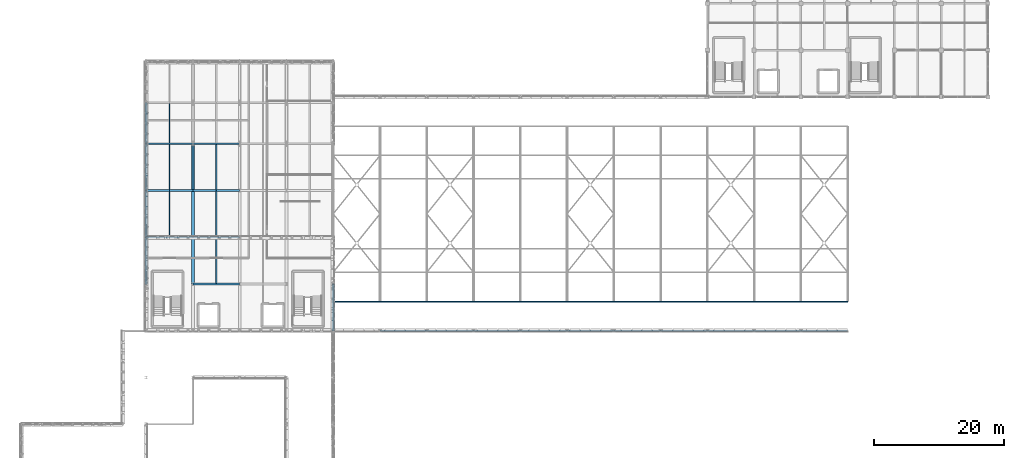
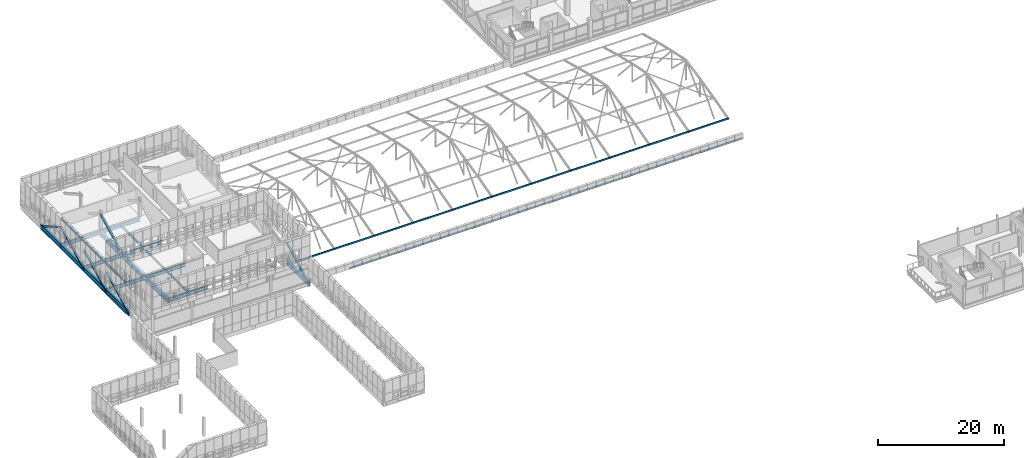
# One storey, part 20 of 96: 31 beams, 17 members.
"""IFC4 building model written with IfcOpenShell, lengths in metres."""

from ifc_helpers import new_model, si_unit, direction, frame, origin, origin_2d, place, context, subcontext, project, spatial, hollow_rectangle, i_section, extrude, material, material_profile, profile_set, type_object, element, save


model = new_model("IFC4")

# Units and contexts
model_context = context("Model", 3, precision=1e-05, world=origin(), true_north=direction((0.0, 1.0)))
body_context = subcontext(model_context, "Body", "Model", "MODEL_VIEW")
ifc_project = project(units=[si_unit("LENGTHUNIT", "METRE"), si_unit("AREAUNIT", "SQUARE_METRE"), si_unit("VOLUMEUNIT", "CUBIC_METRE"), si_unit("PLANEANGLEUNIT", "RADIAN"), si_unit("MASSUNIT", "GRAM", prefix="KILO")], contexts=[model_context])

# Site, building, storey
site_placement = place(None, origin())
site = spatial("IfcSite", under=ifc_project, at=site_placement, CompositionType="ELEMENT")
building_placement = place(site_placement, origin())
building = spatial("IfcBuilding", under=site, at=building_placement, Name="Yarey Park Central Fire Station", CompositionType="ELEMENT")
storey_placement = place(building_placement, frame((0.0, 0.0, 14.39990234375)))
storey = spatial("IfcBuildingStorey", under=building, at=storey_placement, Name="L04", CompositionType="ELEMENT", Elevation=14.39990234375)

# Beams
ifc_material_1 = material(Name="Steel ASTM A992 Gr. 50", Category="steel")
ifc_material_profile_1 = material_profile(ifc_material_1, i_section(OverallWidth=0.256103515625, OverallDepth=0.693115234375, WebThickness=0.014404296875, FlangeThickness=0.023681640625, at=origin_2d()), Name="W690x170")
ifc_profile_set_1 = profile_set([ifc_material_profile_1], Name="Steel ASTM A992 Gr. 50")
beam_type_1 = type_object("IfcBeamType", Name="STR_BM_W690", PredefinedType="BEAM", material=ifc_profile_set_1)
for number, where, z_axis, x_axis, name in (
    (1, (36.0, 64.800048828125, -0.596435546875), (1.0, 0.0, 0.0), (0.0, 1.0, 0.0), "BMX L04 Y648 X360"),
    (2, (28.800048828125, 72.0, -0.596435546875), (1.0, 0.0, 0.0), (0.0, 1.0, 0.0), "BMX L04 Y720 X288"),
    (3, (36.0, 72.0, -0.596435546875), (1.0, 0.0, 0.0), (0.0, 1.0, 0.0), "BMX L04 Y720 X360"),
    (4, (28.800048828125, 79.199951171875, -0.596435546875), (1.0, 0.0, 0.0), (0.0, 1.0, 0.0), "BMX L04 Y792 X288"),
    (5, (36.0, 79.199951171875, -0.596435546875), (1.0, 0.0, 0.0), (0.0, 1.0, 0.0), "BMX L04 Y792 X360"),
    (6, (28.800048828125, 86.39990234375, -0.596435546875), (1.0, 0.0, 0.0), (0.0, 1.0, 0.0), "BMX L04 Y864 X288"),
    (7, (36.0, 86.39990234375, -0.596435546875), (1.0, 0.0, 0.0), (0.0, 1.0, 0.0), "BMX L04 Y864 X360"),
):
    element("IfcBeam", number, at=place(storey_placement, frame(where, z_axis=z_axis, x_axis=x_axis)), inside=storey, type_object=beam_type_1, Name=name, PredefinedType="BEAM", context=body_context, shape_type="SweptSolid", body=[
        extrude(i_section(OverallWidth=0.256103515625, OverallDepth=0.693115234375, WebThickness=0.014404296875, FlangeThickness=0.023681640625, at=origin_2d()), origin(), (0.0, 0.0, 1.0), 7.199951171875),
    ])
ifc_material_profile_2 = material_profile(ifc_material_1, i_section(OverallWidth=0.41796875, OverallDepth=0.912109375, WebThickness=0.019287109375, FlangeThickness=0.031982421875, at=origin_2d()), Name="W920x342")
ifc_profile_set_2 = profile_set([ifc_material_profile_2], Name="Steel ASTM A992 Gr. 50")
beam_type_2 = type_object("IfcBeamType", Name="STR_BM_W920", PredefinedType="BEAM", material=ifc_profile_set_2)
for number, where, z_axis, x_axis, name in (
    (8, (36.0, 64.800048828125, -0.705810546875), (0.0, 1.0, 0.0), (-1.0, 0.0, 0.0), "Transfer Truss TT2 L04 CH2"),
    (9, (36.0, 72.0, -0.705810546875), (0.0, 1.0, 0.0), (-1.0, 0.0, 0.0), "Transfer Truss TT2 L04 CH3"),
    (10, (36.0, 79.199951171875, -0.705810546875), (0.0, 1.0, 0.0), (-1.0, 0.0, 0.0), "Transfer Truss TT2 L04 CH4"),
):
    element("IfcBeam", number, at=place(storey_placement, frame(where, z_axis=z_axis, x_axis=x_axis)), inside=storey, type_object=beam_type_2, Name=name, PredefinedType="BEAM", context=body_context, shape_type="SweptSolid", body=[
        extrude(i_section(OverallWidth=0.41796875, OverallDepth=0.912109375, WebThickness=0.019287109375, FlangeThickness=0.031982421875, at=origin_2d()), origin(), (0.0, 0.0, 1.0), 7.199951171875),
    ])
ifc_material_profile_3 = material_profile(ifc_material_1, i_section(OverallWidth=0.41796875, OverallDepth=0.912109375, WebThickness=0.019287109375, FlangeThickness=0.031982421875, at=origin_2d()), Name="W920x342")
ifc_profile_set_3 = profile_set([ifc_material_profile_3], Name="Steel ASTM A992 Gr. 50")
beam_type_3 = type_object("IfcBeamType", Name="STR_BM_W920E", PredefinedType="BEAM", material=ifc_profile_set_3)
for number, where, z_axis, x_axis, name in (
    (11, (28.800048828125, 64.800048828125, -0.705810546875), (0.0, 1.0, 0.0), (-1.0, 0.0, 0.0), "Transfer Truss TT1 L04 CH2"),
    (12, (28.800048828125, 72.0, -0.705810546875), (0.0, 1.0, 0.0), (-1.0, 0.0, 0.0), "Transfer Truss TT1 L04 CH3"),
    (13, (28.800048828125, 79.199951171875, -0.705810546875), (0.0, 1.0, 0.0), (-1.0, 0.0, 0.0), "Transfer Truss TT1 L04 CH4"),
):
    element("IfcBeam", number, at=place(storey_placement, frame(where, z_axis=z_axis, x_axis=x_axis)), inside=storey, type_object=beam_type_3, Name=name, PredefinedType="BEAM", context=body_context, shape_type="SweptSolid", body=[
        extrude(i_section(OverallWidth=0.41796875, OverallDepth=0.912109375, WebThickness=0.019287109375, FlangeThickness=0.031982421875, at=origin_2d()), origin(), (0.0, 0.0, 1.0), 7.199951171875),
    ])
beam_1_placement = place(storey_placement, frame((28.800048828125, 86.39990234375, -0.705810546875), z_axis=(0.0, 1.0, 0.0), x_axis=(-1.0, 0.0, 0.0)))
element("IfcBeam", 14, at=beam_1_placement, inside=storey, type_object=beam_type_3, Name="Transfer Truss TT1 L04 CH5", PredefinedType="BEAM", context=body_context, shape_type="SweptSolid", body=[
    extrude(i_section(OverallWidth=0.41796875, OverallDepth=0.912109375, WebThickness=0.019287109375, FlangeThickness=0.031982421875, at=origin_2d()), origin(), (0.0, 0.0, 1.0), 6.300048828125),
])
beam_2_placement = place(storey_placement, frame((57.60009765625, 57.60009765625, -0.705810546875), z_axis=(0.0, 1.0, 0.0), x_axis=(-1.0, 0.0, 0.0)))
element("IfcBeam", 15, at=beam_2_placement, inside=storey, type_object=beam_type_3, Name="Transfer Truss TT5 L04 CH1", PredefinedType="BEAM", context=body_context, shape_type="SweptSolid", body=[
    extrude(i_section(OverallWidth=0.41796875, OverallDepth=0.912109375, WebThickness=0.019287109375, FlangeThickness=0.031982421875, at=origin_2d()), origin(), (0.0, 0.0, 1.0), 7.199951171875),
])
ifc_material_profile_4 = material_profile(ifc_material_1, i_section(OverallWidth=0.177978515625, OverallDepth=0.406982421875, WebThickness=0.0078125, FlangeThickness=0.0126953125, at=origin_2d()), Name="W410x60")
ifc_profile_set_4 = profile_set([ifc_material_profile_4], Name="Steel ASTM A992 Gr. 50")
beam_type_4 = type_object("IfcBeamType", Name="STR_JST_W410", PredefinedType="JOIST", material=ifc_profile_set_4)
beam_3_placement = place(storey_placement, frame((32.39990234375, 86.47998046875, -0.453369140625), z_axis=(0.0, 1.0, 0.0), x_axis=(-1.0, 0.0, 0.0)))
element("IfcBeam", 16, at=beam_3_placement, inside=storey, type_object=beam_type_4, Name="CANT JST L04 X324 Y864", PredefinedType="JOIST", context=body_context, shape_type="SweptSolid", body=[
    extrude(i_section(OverallWidth=0.177978515625, OverallDepth=0.406982421875, WebThickness=0.0078125, FlangeThickness=0.0126953125, at=origin_2d()), origin(), (0.0, 0.0, 1.0), 6.14013671875),
])
for number, where, z_axis, x_axis, name in (
    (17, (32.39990234375, 72.094970703125, -0.453369140625), (0.0, 1.0, 0.0), (-1.0, 0.0, 0.0), "JST L04 X324 Y720"),
    (18, (32.39990234375, 79.294921875, -0.453369140625), (0.0, 1.0, 0.0), (-1.0, 0.0, 0.0), "JST L04 X324 Y792"),
    (19, (39.60009765625, 64.89501953125, -0.453369140625), (0.0, 1.0, 0.0), (-1.0, 0.0, 0.0), "JST L04 X396 Y648"),
    (20, (39.60009765625, 72.094970703125, -0.453369140625), (0.0, 1.0, 0.0), (-1.0, 0.0, 0.0), "JST L04 X396 Y720"),
    (21, (39.60009765625, 79.294921875, -0.453369140625), (0.0, 1.0, 0.0), (-1.0, 0.0, 0.0), "JST L04 X396 Y792"),
):
    element("IfcBeam", number, at=place(storey_placement, frame(where, z_axis=z_axis, x_axis=x_axis)), inside=storey, type_object=beam_type_4, Name=name, PredefinedType="JOIST", context=body_context, shape_type="SweptSolid", body=[
        extrude(i_section(OverallWidth=0.177978515625, OverallDepth=0.406982421875, WebThickness=0.0078125, FlangeThickness=0.0126953125, at=origin_2d()), origin(), (0.0, 0.0, 1.0), 7.010009765625),
    ])

# Members
ifc_material_2 = material(Name="Steel ASTM A500 Gr. C", Category="steel")
ifc_material_profile_5 = material_profile(ifc_material_2, hollow_rectangle(XDim=0.300048828125, YDim=0.300048828125, WallThickness=0.01611328125, at=origin_2d()), Name="HSS 300x300x16")
ifc_profile_set_5 = profile_set([ifc_material_profile_5], Name="Steel ASTM A500 Gr. C")
member_type_1 = type_object("IfcMemberType", Name="STR_PRATT_HSS300", PredefinedType="BRACE", material=ifc_profile_set_5)
member_1_placement = place(storey_placement, frame((36.0, 79.199951171875, -0.699951171875), z_axis=(0.0, 0.894421125195, 0.447225726904), x_axis=(-1.0, 0.0, 0.0)))
element("IfcMember", 22, at=member_1_placement, inside=storey, type_object=member_type_1, Name="TT2_L04_DIAG4", PredefinedType="BRACE", context=body_context, shape_type="SweptSolid", body=[
    extrude(hollow_rectangle(XDim=0.300048828125, YDim=0.300048828125, WallThickness=0.01611328125, at=origin_2d()), origin(), (0.0, 0.0, 1.0), 8.0498046875),
])
ifc_material_profile_6 = material_profile(ifc_material_2, hollow_rectangle(XDim=0.300048828125, YDim=0.300048828125, WallThickness=0.01611328125, at=origin_2d()), Name="HSS 300x300x16")
ifc_profile_set_6 = profile_set([ifc_material_profile_6], Name="Steel ASTM A500 Gr. C")
member_type_2 = type_object("IfcMemberType", Name="STR_PRATT_HSS300E", PredefinedType="BRACE", material=ifc_profile_set_6)
for number, where, z_axis, x_axis, name in (
    (23, (28.800048828125, 64.800048828125, -0.699951171875), (0.0, 0.894421125195, 0.447225726904), (-1.0, 0.0, 0.0), "TT1_L04_DIAG2"),
    (24, (28.800048828125, 72.0, -0.699951171875), (0.0, 0.894421125195, 0.447225726904), (-1.0, 0.0, 0.0), "TT1_L04_DIAG3"),
    (25, (28.800048828125, 79.199951171875, -0.699951171875), (0.0, 0.894421125195, 0.447225726904), (-1.0, 0.0, 0.0), "TT1_L04_DIAG4"),
):
    element("IfcMember", number, at=place(storey_placement, frame(where, z_axis=z_axis, x_axis=x_axis)), inside=storey, type_object=member_type_2, Name=name, PredefinedType="BRACE", context=body_context, shape_type="SweptSolid", body=[
        extrude(hollow_rectangle(XDim=0.300048828125, YDim=0.300048828125, WallThickness=0.01611328125, at=origin_2d()), origin(), (0.0, 0.0, 1.0), 8.0498046875),
    ])
member_2_placement = place(storey_placement, frame((28.800048828125, 86.39990234375, 2.900146484375), z_axis=(0.0, 0.868239001029, -0.496146185203), x_axis=(-1.0, 0.0, 0.0)))
element("IfcMember", 26, at=member_2_placement, inside=storey, type_object=member_type_2, Name="TT1_L04_DIAG5", PredefinedType="BRACE", context=body_context, shape_type="SweptSolid", body=[
    extrude(hollow_rectangle(XDim=0.300048828125, YDim=0.300048828125, WallThickness=0.01611328125, at=origin_2d()), origin(), (0.0, 0.0, 1.0), 7.256103515625),
])
member_3_placement = place(storey_placement, frame((57.60009765625, 57.60009765625, -0.699951171875), z_axis=(0.0, 0.894421125195, 0.447225726904), x_axis=(-1.0, 0.0, 0.0)))
element("IfcMember", 27, at=member_3_placement, inside=storey, type_object=member_type_2, Name="TT5_L04_DIAG1", PredefinedType="BRACE", context=body_context, shape_type="SweptSolid", body=[
    extrude(hollow_rectangle(XDim=0.300048828125, YDim=0.300048828125, WallThickness=0.01611328125, at=origin_2d()), origin(), (0.0, 0.0, 1.0), 8.0498046875),
])
ifc_material_profile_7 = material_profile(ifc_material_2, hollow_rectangle(XDim=0.14990234375, YDim=0.300048828125, WallThickness=0.010009765625, at=origin_2d()), Name="HSS 300x150x10")
ifc_profile_set_7 = profile_set([ifc_material_profile_7], Name="Steel ASTM A500 Gr. C")
member_type_3 = type_object("IfcMemberType", Name="STR_PUR_HSS300", PredefinedType="PURLIN", material=ifc_profile_set_7)
for number, where, z_axis, x_axis, name in (
    (28, (57.60009765625, 62.10009765625, 0.83154296875), (1.0, 0.0, 0.0), (0.0, 1.0, 0.0), "PUR_ARCH_B01_1"),
    (29, (64.800048828125, 62.10009765625, 0.83154296875), (1.0, 0.0, 0.0), (0.0, 1.0, 0.0), "PUR_ARCH_B02_1"),
    (30, (72.0, 62.10009765625, 0.83154296875), (1.0, 0.0, 0.0), (0.0, 1.0, 0.0), "PUR_ARCH_B03_1"),
    (31, (79.199951171875, 62.10009765625, 0.83154296875), (1.0, 0.0, 0.0), (0.0, 1.0, 0.0), "PUR_ARCH_B04_1"),
):
    element("IfcMember", number, at=place(storey_placement, frame(where, z_axis=z_axis, x_axis=x_axis)), inside=storey, type_object=member_type_3, Name=name, PredefinedType="PURLIN", context=body_context, shape_type="SweptSolid", body=[
        extrude(hollow_rectangle(XDim=0.14990234375, YDim=0.300048828125, WallThickness=0.010009765625, at=origin_2d()), origin(), (0.0, 0.0, 1.0), 7.199951171875),
    ])
member_4_placement = place(storey_placement, frame((86.39990234375, 62.10009765625, 0.83154296875), z_axis=(1.0, 0.0, 0.0), x_axis=(0.0, 1.0, 0.0)))
element("IfcMember", 32, at=member_4_placement, inside=storey, type_object=member_type_3, Name="PUR_ARCH_B05_1", PredefinedType="PURLIN", context=body_context, shape_type="SweptSolid", body=[
    extrude(hollow_rectangle(XDim=0.14990234375, YDim=0.300048828125, WallThickness=0.010009765625, at=origin_2d()), origin(), (0.0, 0.0, 1.0), 7.2001953125),
])
for number, where, z_axis, x_axis, name in (
    (33, (93.60009765625, 62.10009765625, 0.83154296875), (1.0, 0.0, 0.0), (0.0, 1.0, 0.0), "PUR_ARCH_B06_1"),
    (34, (100.800048828125, 62.10009765625, 0.83154296875), (1.0, 0.0, 0.0), (0.0, 1.0, 0.0), "PUR_ARCH_B07_1"),
    (35, (108.0, 62.10009765625, 0.83154296875), (1.0, 0.0, 0.0), (0.0, 1.0, 0.0), "PUR_ARCH_B08_1"),
    (36, (115.199951171875, 62.10009765625, 0.83154296875), (1.0, 0.0, 0.0), (0.0, 1.0, 0.0), "PUR_ARCH_B09_1"),
):
    element("IfcMember", number, at=place(storey_placement, frame(where, z_axis=z_axis, x_axis=x_axis)), inside=storey, type_object=member_type_3, Name=name, PredefinedType="PURLIN", context=body_context, shape_type="SweptSolid", body=[
        extrude(hollow_rectangle(XDim=0.14990234375, YDim=0.300048828125, WallThickness=0.010009765625, at=origin_2d()), origin(), (0.0, 0.0, 1.0), 7.199951171875),
    ])
member_5_placement = place(storey_placement, frame((122.39990234375, 62.10009765625, 0.83154296875), z_axis=(1.0, 0.0, 0.0), x_axis=(0.0, 1.0, 0.0)))
element("IfcMember", 37, at=member_5_placement, inside=storey, type_object=member_type_3, Name="PUR_ARCH_B10_1", PredefinedType="PURLIN", context=body_context, shape_type="SweptSolid", body=[
    extrude(hollow_rectangle(XDim=0.14990234375, YDim=0.300048828125, WallThickness=0.010009765625, at=origin_2d()), origin(), (0.0, 0.0, 1.0), 7.2001953125),
])
member_6_placement = place(storey_placement, frame((129.60009765625, 62.10009765625, 0.83154296875), z_axis=(1.0, 0.0, 0.0), x_axis=(0.0, 1.0, 0.0)))
element("IfcMember", 38, at=member_6_placement, inside=storey, type_object=member_type_3, Name="PUR_ARCH_B11_1", PredefinedType="PURLIN", context=body_context, shape_type="SweptSolid", body=[
    extrude(hollow_rectangle(XDim=0.14990234375, YDim=0.300048828125, WallThickness=0.010009765625, at=origin_2d()), origin(), (0.0, 0.0, 1.0), 7.199951171875),
])

# Beams
ifc_material_profile_8 = material_profile(ifc_material_1, i_section(OverallWidth=0.1650390625, OverallDepth=0.31005859375, WebThickness=0.005859375, FlangeThickness=0.009765625, at=origin_2d()), Name="W310x39")
ifc_profile_set_8 = profile_set([ifc_material_profile_8], Name="Steel ASTM A992 Gr. 50")
beam_type_5 = type_object("IfcBeamType", Name="STR_SPN_W310", PredefinedType="SPANDREL", material=ifc_profile_set_8)
for number, where, z_axis, x_axis, name in (
    (39, (64.800048828125, 57.60009765625, -0.23486328125), (1.0, 0.0, 0.0), (0.0, 1.0, 0.0), "V2 BOX GIRT S M2 02"),
    (40, (72.0, 57.60009765625, -0.23486328125), (1.0, 0.0, 0.0), (0.0, 1.0, 0.0), "V2 BOX GIRT S M2 03"),
    (41, (79.199951171875, 57.60009765625, -0.23486328125), (1.0, 0.0, 0.0), (0.0, 1.0, 0.0), "V2 BOX GIRT S M2 04"),
):
    element("IfcBeam", number, at=place(storey_placement, frame(where, z_axis=z_axis, x_axis=x_axis)), inside=storey, type_object=beam_type_5, Name=name, PredefinedType="SPANDREL", context=body_context, shape_type="SweptSolid", body=[
        extrude(i_section(OverallWidth=0.1650390625, OverallDepth=0.31005859375, WebThickness=0.005859375, FlangeThickness=0.009765625, at=origin_2d()), origin(), (0.0, 0.0, 1.0), 7.199951171875),
    ])
beam_4_placement = place(storey_placement, frame((86.39990234375, 57.60009765625, -0.23486328125), z_axis=(1.0, 0.0, 0.0), x_axis=(0.0, 1.0, 0.0)))
element("IfcBeam", 42, at=beam_4_placement, inside=storey, type_object=beam_type_5, Name="V2 BOX GIRT S M2 05", PredefinedType="SPANDREL", context=body_context, shape_type="SweptSolid", body=[
    extrude(i_section(OverallWidth=0.1650390625, OverallDepth=0.31005859375, WebThickness=0.005859375, FlangeThickness=0.009765625, at=origin_2d()), origin(), (0.0, 0.0, 1.0), 7.2001953125),
])
for number, where, z_axis, x_axis, name in (
    (43, (93.60009765625, 57.60009765625, -0.23486328125), (1.0, 0.0, 0.0), (0.0, 1.0, 0.0), "V2 BOX GIRT S M2 06"),
    (44, (100.800048828125, 57.60009765625, -0.23486328125), (1.0, 0.0, 0.0), (0.0, 1.0, 0.0), "V2 BOX GIRT S M2 07"),
    (45, (108.0, 57.60009765625, -0.23486328125), (1.0, 0.0, 0.0), (0.0, 1.0, 0.0), "V2 BOX GIRT S M2 08"),
    (46, (115.199951171875, 57.60009765625, -0.23486328125), (1.0, 0.0, 0.0), (0.0, 1.0, 0.0), "V2 BOX GIRT S M2 09"),
):
    element("IfcBeam", number, at=place(storey_placement, frame(where, z_axis=z_axis, x_axis=x_axis)), inside=storey, type_object=beam_type_5, Name=name, PredefinedType="SPANDREL", context=body_context, shape_type="SweptSolid", body=[
        extrude(i_section(OverallWidth=0.1650390625, OverallDepth=0.31005859375, WebThickness=0.005859375, FlangeThickness=0.009765625, at=origin_2d()), origin(), (0.0, 0.0, 1.0), 7.199951171875),
    ])
beam_5_placement = place(storey_placement, frame((122.39990234375, 57.60009765625, -0.23486328125), z_axis=(1.0, 0.0, 0.0), x_axis=(0.0, 1.0, 0.0)))
element("IfcBeam", 47, at=beam_5_placement, inside=storey, type_object=beam_type_5, Name="V2 BOX GIRT S M2 10", PredefinedType="SPANDREL", context=body_context, shape_type="SweptSolid", body=[
    extrude(i_section(OverallWidth=0.1650390625, OverallDepth=0.31005859375, WebThickness=0.005859375, FlangeThickness=0.009765625, at=origin_2d()), origin(), (0.0, 0.0, 1.0), 7.2001953125),
])
beam_6_placement = place(storey_placement, frame((129.60009765625, 57.60009765625, -0.23486328125), z_axis=(1.0, 0.0, 0.0), x_axis=(0.0, 1.0, 0.0)))
element("IfcBeam", 48, at=beam_6_placement, inside=storey, type_object=beam_type_5, Name="V2 BOX GIRT S M2 11", PredefinedType="SPANDREL", context=body_context, shape_type="SweptSolid", body=[
    extrude(i_section(OverallWidth=0.1650390625, OverallDepth=0.31005859375, WebThickness=0.005859375, FlangeThickness=0.009765625, at=origin_2d()), origin(), (0.0, 0.0, 1.0), 7.199951171875),
])

save(model, "model.ifc")
